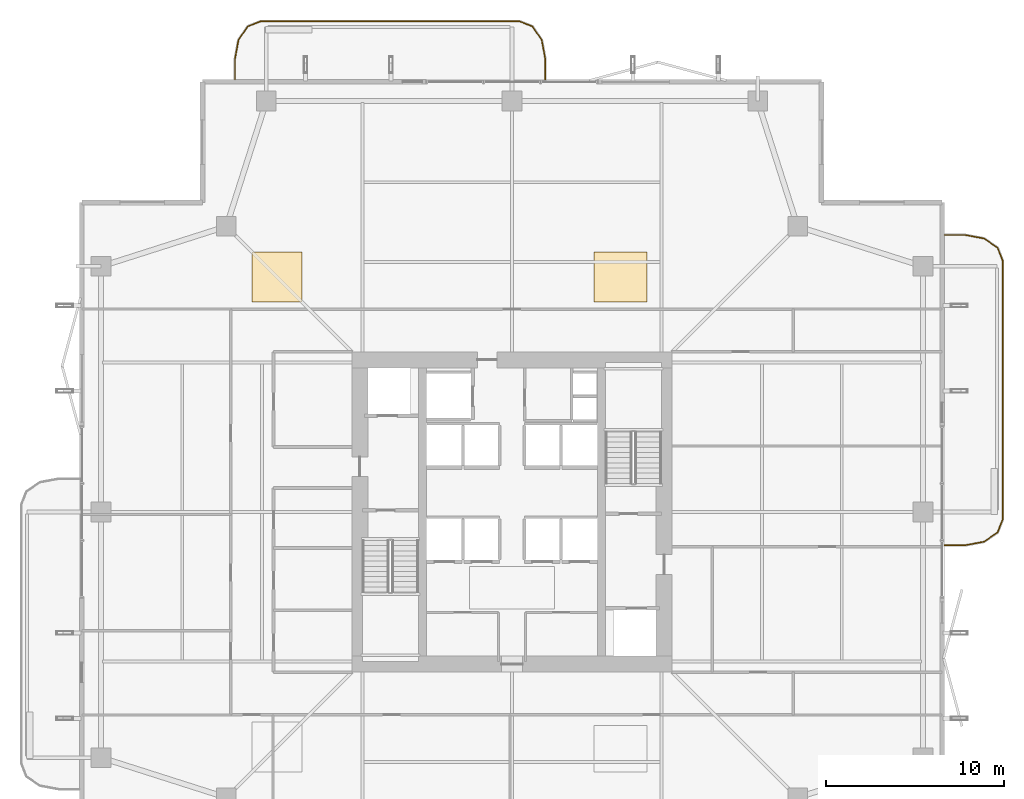
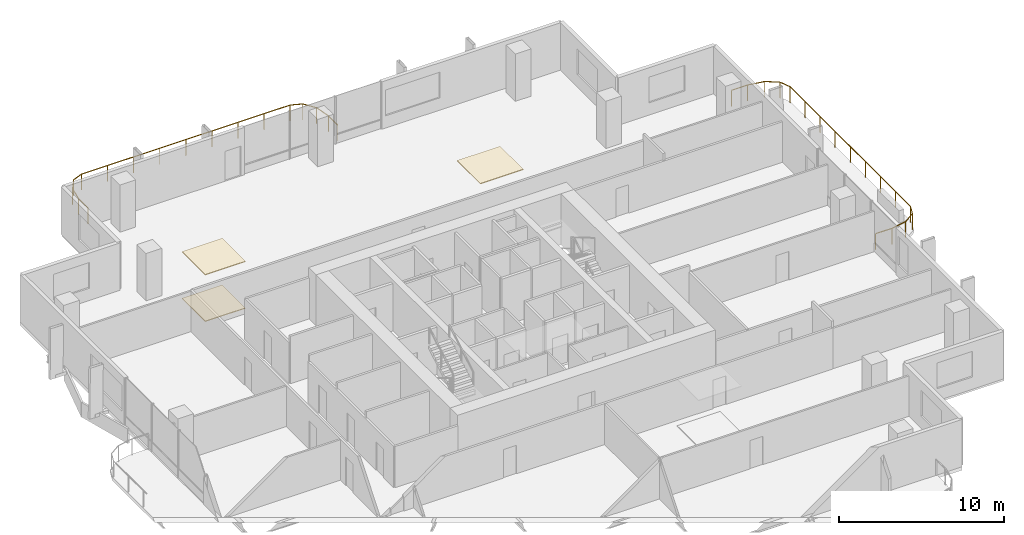
# One storey, part 24 of 24: 3 coverings, 2 railings.
"""IFC4 building model written with IfcOpenShell, lengths in metres."""

from ifc_helpers import new_model, si_unit, direction, frame, origin, origin_2d, place, context, subcontext, project, spatial, polyline, rectangle, outline, extrude, material, layer, layer_set, type_object, element, save


model = new_model("IFC4")

# Units and contexts
model_context = context("Model", 3, precision=1e-05, world=origin(), true_north=direction((0.0, 1.0)))
body_context = subcontext(model_context, "Body", "Model", "MODEL_VIEW")
ifc_project = project(units=[si_unit("LENGTHUNIT", "METRE"), si_unit("AREAUNIT", "SQUARE_METRE"), si_unit("VOLUMEUNIT", "CUBIC_METRE"), si_unit("PLANEANGLEUNIT", "RADIAN"), si_unit("MASSUNIT", "GRAM", prefix="KILO")], contexts=[model_context])

# Site, building, storey
site_placement = place(None, origin())
site = spatial("IfcSite", under=ifc_project, at=site_placement, CompositionType="ELEMENT")
building_placement = place(site_placement, origin())
building = spatial("IfcBuilding", under=site, at=building_placement, Name="Belovzor Exchange Tower", CompositionType="ELEMENT")
storey_placement = place(building_placement, frame((0.0, 0.0, 179.550048828125)))
storey = spatial("IfcBuildingStorey", under=building, at=storey_placement, Name="L44", CompositionType="ELEMENT", Elevation=179.550048828125)

# Railings
ifc_material_1 = material(Name="Stainless Steel and Laminated Safety Glass", Category="steel")
railing_type = type_object("IfcRailingType", Name="Laminated Glass & Stainless Steel Balcony Balustrade 1200", PredefinedType="BALUSTRADE", material=ifc_material_1)
railing_1_placement = place(storey_placement, frame((30.669921875, 53.110107421875, 0.0)))
element("IfcRailing", 1, at=railing_1_placement, inside=storey, type_object=railing_type, Name="GR-1 Balcony Balustrade L44 North", PredefinedType="BALUSTRADE", context=body_context, shape_type="SweptSolid", body=[
    extrude(rectangle(XDim=0.048095703125, YDim=0.048095703125, at=origin_2d()), frame((0.0, 0.0, 1.17578125), z_axis=(0.0, 1.0, 0.0), x_axis=(-1.0, 0.0, 0.0)), (0.0, 0.0, 1.0), 1.1328125),
    extrude(rectangle(XDim=0.048095703125, YDim=0.048095703125, at=origin_2d()), frame((0.0, 1.1328125, 1.17578125), z_axis=(-0.180083182347, 0.983651385113, 0.0), x_axis=(-0.983651385113, -0.180083182347, 0.0)), (0.0, 0.0, 1.0), 1.093994140625),
    extrude(rectangle(XDim=0.048095703125, YDim=0.048095703125, at=origin_2d()), frame((-0.197021484375, 2.208984375, 1.17578125), z_axis=(-0.562768145367, 0.826614792125, 0.0), x_axis=(-0.826614792125, -0.562768145367, 0.0)), (0.0, 0.0, 1.0), 0.9326171875),
    extrude(rectangle(XDim=0.048095703125, YDim=0.048095703125, at=origin_2d()), frame((-0.721923828125, 2.97998046875, 1.17578125), z_axis=(-0.930766990125, 0.365612923861, 0.0), x_axis=(-0.365612923861, -0.930766990125, 0.0)), (0.0, 0.0, 1.0), 0.765869140625),
    extrude(rectangle(XDim=0.048095703125, YDim=0.048095703125, at=origin_2d()), frame((-1.434814453125, 3.260009765625, 1.17578125), z_axis=(-1.0, 0.0, 0.0), x_axis=(0.0, -1.0, 0.0)), (0.0, 0.0, 1.0), 14.570068359375),
    extrude(rectangle(XDim=0.048095703125, YDim=0.048095703125, at=origin_2d()), frame((-16.0048828125, 3.260009765625, 1.17578125), z_axis=(-0.930809580156, -0.365504480807, 0.0), x_axis=(0.365504480807, -0.930809580156, 0.0)), (0.0, 0.0, 1.0), 0.76611328125),
    extrude(rectangle(XDim=0.048095703125, YDim=0.048095703125, at=origin_2d()), frame((-16.718017578125, 2.97998046875, 1.17578125), z_axis=(-0.562768145367, -0.826614792125, 0.0), x_axis=(0.826614792125, -0.562768145367, 0.0)), (0.0, 0.0, 1.0), 0.9326171875),
    extrude(rectangle(XDim=0.048095703125, YDim=0.048095703125, at=origin_2d()), frame((-17.242919921875, 2.208984375, 1.17578125), z_axis=(-0.180083182347, -0.983651385113, 0.0), x_axis=(0.983651385113, -0.180083182347, 0.0)), (0.0, 0.0, 1.0), 1.093994140625),
    extrude(rectangle(XDim=0.048095703125, YDim=0.048095703125, at=origin_2d()), frame((-17.43994140625, 1.1328125, 1.17578125), z_axis=(0.0, -1.0, 0.0), x_axis=(1.0, 0.0, 0.0)), (0.0, 0.0, 1.0), 1.1328125),
    extrude(rectangle(XDim=0.0419921875, YDim=0.0419921875, at=origin_2d()), origin(), (0.0, 0.0, 1.0), 1.15185546875),
    extrude(rectangle(XDim=0.0419921875, YDim=0.0419921875, at=origin_2d()), frame((0.0, 1.1328125, 0.0)), (0.0, 0.0, 1.0), 1.15185546875),
    extrude(rectangle(XDim=0.0419921875, YDim=0.0419921875, at=origin_2d()), frame((-0.197021484375, 2.208984375, 0.0)), (0.0, 0.0, 1.0), 1.15185546875),
    extrude(rectangle(XDim=0.0419921875, YDim=0.0419921875, at=origin_2d()), frame((-0.721923828125, 2.97998046875, 0.0)), (0.0, 0.0, 1.0), 1.15185546875),
    extrude(rectangle(XDim=0.0419921875, YDim=0.0419921875, at=origin_2d()), frame((-1.434814453125, 3.260009765625, 0.0)), (0.0, 0.0, 1.0), 1.15185546875),
    extrude(rectangle(XDim=0.0419921875, YDim=0.0419921875, at=origin_2d()), frame((-3.256103515625, 3.260009765625, 0.0)), (0.0, 0.0, 1.0), 1.15185546875),
    extrude(rectangle(XDim=0.0419921875, YDim=0.0419921875, at=origin_2d()), frame((-5.077392578125, 3.260009765625, 0.0)), (0.0, 0.0, 1.0), 1.15185546875),
    extrude(rectangle(XDim=0.0419921875, YDim=0.0419921875, at=origin_2d()), frame((-6.898681640625, 3.260009765625, 0.0)), (0.0, 0.0, 1.0), 1.15185546875),
    extrude(rectangle(XDim=0.0419921875, YDim=0.0419921875, at=origin_2d()), frame((-8.7197265625, 3.260009765625, 0.0)), (0.0, 0.0, 1.0), 1.15185546875),
    extrude(rectangle(XDim=0.0419921875, YDim=0.0419921875, at=origin_2d()), frame((-10.541015625, 3.260009765625, 0.0)), (0.0, 0.0, 1.0), 1.15185546875),
    extrude(rectangle(XDim=0.0419921875, YDim=0.0419921875, at=origin_2d()), frame((-12.3623046875, 3.260009765625, 0.0)), (0.0, 0.0, 1.0), 1.15185546875),
    extrude(rectangle(XDim=0.0419921875, YDim=0.0419921875, at=origin_2d()), frame((-14.18359375, 3.260009765625, 0.0)), (0.0, 0.0, 1.0), 1.15185546875),
    extrude(rectangle(XDim=0.0419921875, YDim=0.0419921875, at=origin_2d()), frame((-16.0048828125, 3.260009765625, 0.0)), (0.0, 0.0, 1.0), 1.15185546875),
    extrude(rectangle(XDim=0.0419921875, YDim=0.0419921875, at=origin_2d()), frame((-16.718017578125, 2.97998046875, 0.0)), (0.0, 0.0, 1.0), 1.15185546875),
    extrude(rectangle(XDim=0.0419921875, YDim=0.0419921875, at=origin_2d()), frame((-17.242919921875, 2.208984375, 0.0)), (0.0, 0.0, 1.0), 1.15185546875),
    extrude(rectangle(XDim=0.0419921875, YDim=0.0419921875, at=origin_2d()), frame((-17.43994140625, 1.1328125, 0.0)), (0.0, 0.0, 1.0), 1.15185546875),
    extrude(rectangle(XDim=0.0419921875, YDim=0.0419921875, at=origin_2d()), frame((-17.43994140625, 0.0, 0.0)), (0.0, 0.0, 1.0), 1.15185546875),
])
railing_2_placement = place(storey_placement, frame((53.110107421875, 26.929931640625, 0.0)))
element("IfcRailing", 2, at=railing_2_placement, inside=storey, type_object=railing_type, Name="GR-1 Balcony Balustrade L44 East", PredefinedType="BALUSTRADE", context=body_context, shape_type="SweptSolid", body=[
    extrude(rectangle(XDim=0.048095703125, YDim=0.048095703125, at=origin_2d()), frame((0.0, 0.0, 1.17578125), z_axis=(1.0, 0.0, 0.0), x_axis=(0.0, 1.0, 0.0)), (0.0, 0.0, 1.0), 1.1328125),
    extrude(rectangle(XDim=0.048095703125, YDim=0.048095703125, at=origin_2d()), frame((1.1328125, 0.0, 1.17578125), z_axis=(0.983651385113, 0.180083182347, 0.0), x_axis=(-0.180083182347, 0.983651385113, 0.0)), (0.0, 0.0, 1.0), 1.093994140625),
    extrude(rectangle(XDim=0.048095703125, YDim=0.048095703125, at=origin_2d()), frame((2.208984375, 0.197021484375, 1.17578125), z_axis=(0.826493025367, 0.56294695933, 0.0), x_axis=(-0.56294695933, 0.826493025367, 0.0)), (0.0, 0.0, 1.0), 0.932861328125),
    extrude(rectangle(XDim=0.048095703125, YDim=0.048095703125, at=origin_2d()), frame((2.97998046875, 0.72216796875, 1.17578125), z_axis=(0.365612923861, 0.930766990125, 0.0), x_axis=(-0.930766990125, 0.365612923861, 0.0)), (0.0, 0.0, 1.0), 0.765869140625),
    extrude(rectangle(XDim=0.048095703125, YDim=0.048095703125, at=origin_2d()), frame((3.260009765625, 1.43505859375, 1.17578125), z_axis=(0.0, 1.0, 0.0), x_axis=(-1.0, 0.0, 0.0)), (0.0, 0.0, 1.0), 14.570068359375),
    extrude(rectangle(XDim=0.048095703125, YDim=0.048095703125, at=origin_2d()), frame((3.260009765625, 16.005126953125, 1.17578125), z_axis=(-0.365612923861, 0.930766990125, 0.0), x_axis=(-0.930766990125, -0.365612923861, 0.0)), (0.0, 0.0, 1.0), 0.765869140625),
    extrude(rectangle(XDim=0.048095703125, YDim=0.048095703125, at=origin_2d()), frame((2.97998046875, 16.718017578125, 1.17578125), z_axis=(-0.826493025367, 0.56294695933, 0.0), x_axis=(-0.56294695933, -0.826493025367, 0.0)), (0.0, 0.0, 1.0), 0.932861328125),
    extrude(rectangle(XDim=0.048095703125, YDim=0.048095703125, at=origin_2d()), frame((2.208984375, 17.2431640625, 1.17578125), z_axis=(-0.983651385113, 0.180083182347, 0.0), x_axis=(-0.180083182347, -0.983651385113, 0.0)), (0.0, 0.0, 1.0), 1.093994140625),
    extrude(rectangle(XDim=0.048095703125, YDim=0.048095703125, at=origin_2d()), frame((1.1328125, 17.440185546875, 1.17578125), z_axis=(-1.0, 0.0, 0.0), x_axis=(0.0, -1.0, 0.0)), (0.0, 0.0, 1.0), 1.1328125),
    extrude(rectangle(XDim=0.0419921875, YDim=0.0419921875, at=origin_2d()), origin(), (0.0, 0.0, 1.0), 1.15185546875),
    extrude(rectangle(XDim=0.0419921875, YDim=0.0419921875, at=origin_2d()), frame((1.1328125, 0.0, 0.0)), (0.0, 0.0, 1.0), 1.15185546875),
    extrude(rectangle(XDim=0.0419921875, YDim=0.0419921875, at=origin_2d()), frame((2.208984375, 0.197021484375, 0.0)), (0.0, 0.0, 1.0), 1.15185546875),
    extrude(rectangle(XDim=0.0419921875, YDim=0.0419921875, at=origin_2d()), frame((2.97998046875, 0.72216796875, 0.0)), (0.0, 0.0, 1.0), 1.15185546875),
    extrude(rectangle(XDim=0.0419921875, YDim=0.0419921875, at=origin_2d()), frame((3.260009765625, 1.43505859375, 0.0)), (0.0, 0.0, 1.0), 1.15185546875),
    extrude(rectangle(XDim=0.0419921875, YDim=0.0419921875, at=origin_2d()), frame((3.260009765625, 3.25634765625, 0.0)), (0.0, 0.0, 1.0), 1.15185546875),
    extrude(rectangle(XDim=0.0419921875, YDim=0.0419921875, at=origin_2d()), frame((3.260009765625, 5.07763671875, 0.0)), (0.0, 0.0, 1.0), 1.15185546875),
    extrude(rectangle(XDim=0.0419921875, YDim=0.0419921875, at=origin_2d()), frame((3.260009765625, 6.89892578125, 0.0)), (0.0, 0.0, 1.0), 1.15185546875),
    extrude(rectangle(XDim=0.0419921875, YDim=0.0419921875, at=origin_2d()), frame((3.260009765625, 8.72021484375, 0.0)), (0.0, 0.0, 1.0), 1.15185546875),
    extrude(rectangle(XDim=0.0419921875, YDim=0.0419921875, at=origin_2d()), frame((3.260009765625, 10.541259765625, 0.0)), (0.0, 0.0, 1.0), 1.15185546875),
    extrude(rectangle(XDim=0.0419921875, YDim=0.0419921875, at=origin_2d()), frame((3.260009765625, 12.362548828125, 0.0)), (0.0, 0.0, 1.0), 1.15185546875),
    extrude(rectangle(XDim=0.0419921875, YDim=0.0419921875, at=origin_2d()), frame((3.260009765625, 14.183837890625, 0.0)), (0.0, 0.0, 1.0), 1.15185546875),
    extrude(rectangle(XDim=0.0419921875, YDim=0.0419921875, at=origin_2d()), frame((3.260009765625, 16.005126953125, 0.0)), (0.0, 0.0, 1.0), 1.15185546875),
    extrude(rectangle(XDim=0.0419921875, YDim=0.0419921875, at=origin_2d()), frame((2.97998046875, 16.718017578125, 0.0)), (0.0, 0.0, 1.0), 1.15185546875),
    extrude(rectangle(XDim=0.0419921875, YDim=0.0419921875, at=origin_2d()), frame((2.208984375, 17.2431640625, 0.0)), (0.0, 0.0, 1.0), 1.15185546875),
    extrude(rectangle(XDim=0.0419921875, YDim=0.0419921875, at=origin_2d()), frame((1.1328125, 17.440185546875, 0.0)), (0.0, 0.0, 1.0), 1.15185546875),
    extrude(rectangle(XDim=0.0419921875, YDim=0.0419921875, at=origin_2d()), frame((0.0, 17.440185546875, 0.0)), (0.0, 0.0, 1.0), 1.15185546875),
])

# Coverings
ifc_material_2 = material(Name="Perforated Powder-Coated Aluminium", Category="aluminium")
ifc_layer_1 = layer(ifc_material_2, 0.06005859375)
ifc_layer_set_1 = layer_set([ifc_layer_1], Name="Perforated Powder-Coated Aluminium")
covering_type_1 = type_object("IfcCoveringType", Name="Perforated Acoustic Metal Tile Suspended Ceiling 60", PredefinedType="CEILING", material=ifc_layer_set_1)
covering_1_placement = place(storey_placement, frame((0.0, 0.0, 3.43505859375)))
element("IfcCovering", 3, at=covering_1_placement, inside=storey, type_object=covering_type_1, Name="CLG-AC60 Suspended Ceiling CLG-L44-Z2", PredefinedType="CEILING", context=body_context, shape_type="SweptSolid", body=[
    extrude(outline(polyline([(33.39990234375, 40.60009765625), (36.39990234375, 40.60009765625), (36.39990234375, 43.39990234375), (33.39990234375, 43.39990234375), (33.39990234375, 40.60009765625)])), origin(), (0.0, 0.0, 1.0), 0.059814453125),
])
covering_2_placement = place(storey_placement, frame((0.0, 0.0, 3.43505859375)))
element("IfcCovering", 4, at=covering_2_placement, inside=storey, type_object=covering_type_1, Name="CLG-AC60 Suspended Ceiling CLG-L44-Z3", PredefinedType="CEILING", context=body_context, shape_type="SweptSolid", body=[
    extrude(outline(polyline([(14.199951171875, 40.60009765625), (17.0, 40.60009765625), (17.0, 43.39990234375), (14.199951171875, 43.39990234375), (14.199951171875, 40.60009765625)])), origin(), (0.0, 0.0, 1.0), 0.059814453125),
])
ifc_material_3 = material(Name="Polished Natural Granite Tile", Category="masonry")
ifc_layer_2 = layer(ifc_material_3, 0.050048828125)
ifc_layer_set_2 = layer_set([ifc_layer_2], Name="Polished Natural Granite Tile")
covering_type_2 = type_object("IfcCoveringType", Name="Polished Karelian Granite & Raised Access Floor Finish 50", PredefinedType="FLOORING", material=ifc_layer_set_2)
covering_3_placement = place(storey_placement, origin())
element("IfcCovering", 5, at=covering_3_placement, inside=storey, type_object=covering_type_2, Name="FLR-GR50 Floor Finish FLR-L44-Z3", PredefinedType="FLOORING", context=body_context, shape_type="SweptSolid", body=[
    extrude(outline(polyline([(14.199951171875, 40.60009765625), (17.0, 40.60009765625), (17.0, 43.39990234375), (14.199951171875, 43.39990234375), (14.199951171875, 40.60009765625)])), origin(), (0.0, 0.0, 1.0), 0.050048828125),
])

save(model, "model.ifc")
